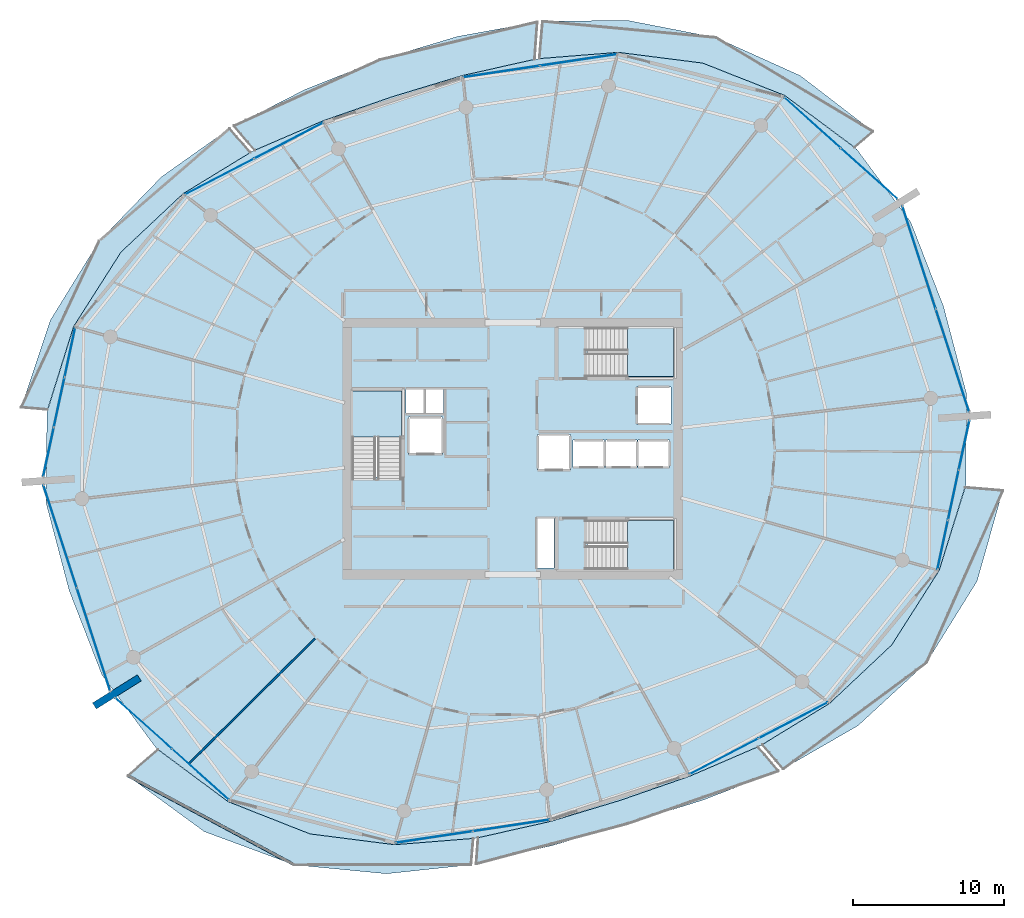
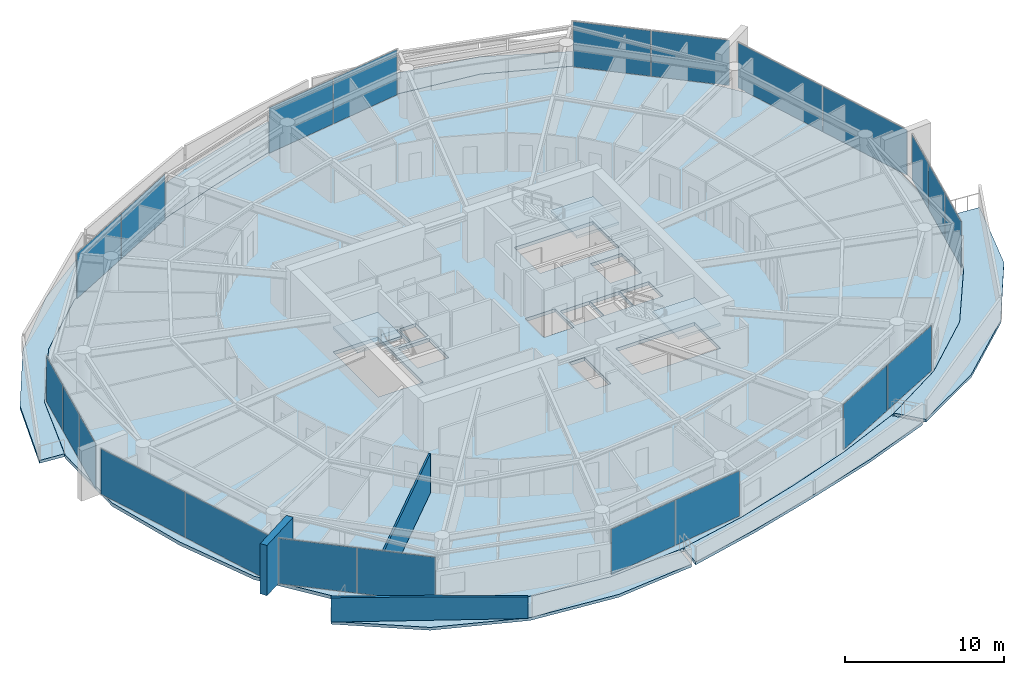
# One storey, part 17 of 31: 22 plates, 10 slabs, 3 walls, 13 elements without a shape of their own.
"""IFC4 building model written with IfcOpenShell, lengths in metres."""

from ifc_helpers import new_model, si_unit, direction, frame, frame_2d, origin, origin_2d, place, context, subcontext, project, spatial, polyline, rectangle, outline, extrude, material, layer, layer_set, type_object, element, aggregate, save


model = new_model("IFC4")

# Units and contexts
model_context = context("Model", 3, precision=1e-05, world=origin(), true_north=direction((0.0, 1.0)))
body_context = subcontext(model_context, "Body", "Model", "MODEL_VIEW")
ifc_project = project(units=[si_unit("LENGTHUNIT", "METRE"), si_unit("AREAUNIT", "SQUARE_METRE"), si_unit("VOLUMEUNIT", "CUBIC_METRE"), si_unit("PLANEANGLEUNIT", "RADIAN"), si_unit("MASSUNIT", "GRAM", prefix="KILO")], contexts=[model_context])

# Site, building, storey
site_placement = place(None, origin())
site = spatial("IfcSite", under=ifc_project, at=site_placement, CompositionType="ELEMENT")
building_placement = place(site_placement, origin())
building = spatial("IfcBuilding", under=site, at=building_placement, Name="Kazma Halo Residences", CompositionType="ELEMENT")
storey_placement = place(building_placement, frame((0.0, 0.0, 248.25)))
storey = spatial("IfcBuildingStorey", under=building, at=storey_placement, Name="L62", CompositionType="ELEMENT", Elevation=248.25)

# Curtain wall, plates
ifc_material_1 = material(Name="Aluminium AW-6063 T6 and Triple-Silver Low-E Glass", Category="aluminium")
ifc_layer_1 = layer(ifc_material_1, 0.139892578125)
ifc_layer_set_1 = layer_set([ifc_layer_1], Name="Aluminium AW-6063 T6 and Triple-Silver Low-E Glass")
curtain_wall_type = type_object("IfcCurtainWallType", Name="CW-SYS-5", PredefinedType="NOTDEFINED", material=ifc_layer_set_1)
curtain_wall_1_placement = place(storey_placement, origin())
curtain_wall_1 = element("IfcCurtainWall", 1, at=curtain_wall_1_placement, inside=storey, type_object=curtain_wall_type, Name="L62 unitised curtain wall B01", PredefinedType="NOTDEFINED")
ifc_material_2 = material(Name="Clear Triple-Silver Low-E Glass IGU", Category="glass")
ifc_layer_2 = layer(ifc_material_2, 0.02587890625)
ifc_layer_set_2 = layer_set([ifc_layer_2], Name="Clear Triple-Silver Low-E Glass IGU")
plate_type = type_object("IfcPlateType", Name="CW-SYS-5-PNL", PredefinedType="CURTAIN_PANEL", material=ifc_layer_set_2)
plate_1_placement = place(storey_placement, frame((72.002685546875, 60.179443359375, 0.06005859375), z_axis=(0.0, 0.0, 1.0), x_axis=(-0.744336424671, 0.667804826958, 0.0)))
plate_1 = element("IfcPlate", 2, at=plate_1_placement, type_object=plate_type, Name="CWS-5 panel 1.1", PredefinedType="CURTAIN_PANEL", context=body_context, shape_type="SweptSolid", body=[
    extrude(rectangle(XDim=4.993408203125, YDim=0.02587890625, at=origin_2d()), origin(), (0.0, 0.0, 1.0), 3.469970703125),
])
plate_2_placement = place(storey_placement, frame((68.2412109375, 63.55419921875, 0.06005859375), z_axis=(0.0, 0.0, 1.0), x_axis=(-0.744336424671, 0.667804826958, 0.0)))
plate_2 = element("IfcPlate", 3, at=plate_2_placement, type_object=plate_type, Name="CWS-5 panel 2.1", PredefinedType="CURTAIN_PANEL", context=body_context, shape_type="SweptSolid", body=[
    extrude(rectangle(XDim=4.993408203125, YDim=0.02587890625, at=origin_2d()), origin(), (0.0, 0.0, 1.0), 3.469970703125),
])
aggregate(curtain_wall_1, [plate_1, plate_2])

curtain_wall_2_placement = place(storey_placement, origin())
curtain_wall_2 = element("IfcCurtainWall", 4, at=curtain_wall_2_placement, inside=storey, type_object=curtain_wall_type, Name="L62 unitised curtain wall B03", PredefinedType="NOTDEFINED")
plate_3_placement = place(storey_placement, frame((52.77783203125, 67.70361328125, 0.06005859375), z_axis=(0.0, 0.0, 1.0), x_axis=(-0.988882792998, -0.148697080374, 0.0)))
plate_3 = element("IfcPlate", 5, at=plate_3_placement, type_object=plate_type, Name="CWS-5 panel 1.1", PredefinedType="CURTAIN_PANEL", context=body_context, shape_type="SweptSolid", body=[
    extrude(rectangle(XDim=5.099853515625, YDim=0.02587890625, at=origin_2d()), origin(), (0.0, 0.0, 1.0), 3.469970703125),
])
plate_4_placement = place(storey_placement, frame((47.67529296875, 66.936279296875, 0.06005859375), z_axis=(0.0, 0.0, 1.0), x_axis=(-0.988882792998, -0.148697080374, 0.0)))
plate_4 = element("IfcPlate", 6, at=plate_4_placement, type_object=plate_type, Name="CWS-5 panel 2.1", PredefinedType="CURTAIN_PANEL", context=body_context, shape_type="SweptSolid", body=[
    extrude(rectangle(XDim=5.099853515625, YDim=0.02587890625, at=origin_2d()), origin(), (0.0, 0.0, 1.0), 3.469970703125),
])
aggregate(curtain_wall_2, [plate_3, plate_4])

curtain_wall_3_placement = place(storey_placement, origin())
curtain_wall_3 = element("IfcCurtainWall", 7, at=curtain_wall_3_placement, inside=storey, type_object=curtain_wall_type, Name="L62 unitised curtain wall B05", PredefinedType="NOTDEFINED")
plate_5_placement = place(storey_placement, frame((33.60546875, 62.36474609375, 0.06005859375), z_axis=(0.0, 0.0, 1.0), x_axis=(-0.887420518694, -0.460960760804, 0.0)))
plate_5 = element("IfcPlate", 8, at=plate_5_placement, type_object=plate_type, Name="CWS-5 panel 1.1", PredefinedType="CURTAIN_PANEL", context=body_context, shape_type="SweptSolid", body=[
    extrude(rectangle(XDim=5.099609375, YDim=0.02587890625, at=origin_2d()), origin(), (0.0, 0.0, 1.0), 3.469970703125),
])
plate_6_placement = place(storey_placement, frame((29.026611328125, 59.986328125, 0.06005859375), z_axis=(0.0, 0.0, 1.0), x_axis=(-0.887420518694, -0.460960760804, 0.0)))
plate_6 = element("IfcPlate", 9, at=plate_6_placement, type_object=plate_type, Name="CWS-5 panel 2.1", PredefinedType="CURTAIN_PANEL", context=body_context, shape_type="SweptSolid", body=[
    extrude(rectangle(XDim=5.099609375, YDim=0.02587890625, at=origin_2d()), origin(), (0.0, 0.0, 1.0), 3.469970703125),
])
aggregate(curtain_wall_3, [plate_5, plate_6])

curtain_wall_4_placement = place(storey_placement, origin())
curtain_wall_4 = element("IfcCurtainWall", 10, at=curtain_wall_4_placement, inside=storey, type_object=curtain_wall_type, Name="L62 unitised curtain wall B07", PredefinedType="NOTDEFINED")
plate_7_placement = place(storey_placement, frame((19.133056640625, 48.36865234375, 0.06005859375), z_axis=(0.0, 0.0, 1.0), x_axis=(-0.209657382603, -0.97777491373, 0.0)))
plate_7 = element("IfcPlate", 11, at=plate_7_placement, type_object=plate_type, Name="CWS-5 panel 1.1", PredefinedType="CURTAIN_PANEL", context=body_context, shape_type="SweptSolid", body=[
    extrude(rectangle(XDim=3.299072265625, YDim=0.02587890625, at=origin_2d()), origin(), (0.0, 0.0, 1.0), 3.469970703125),
])
plate_8_placement = place(storey_placement, frame((18.42578125, 45.069580078125, 0.06005859375), z_axis=(0.0, 0.0, 1.0), x_axis=(-0.209657382603, -0.97777491373, 0.0)))
plate_8 = element("IfcPlate", 12, at=plate_8_placement, type_object=plate_type, Name="CWS-5 panel 2.1", PredefinedType="CURTAIN_PANEL", context=body_context, shape_type="SweptSolid", body=[
    extrude(rectangle(XDim=3.3291015625, YDim=0.02587890625, at=origin_2d()), origin(), (0.0, 0.0, 1.0), 3.469970703125),
])
plate_9_placement = place(storey_placement, frame((17.71826171875, 41.7705078125, 0.06005859375), z_axis=(0.0, 0.0, 1.0), x_axis=(-0.209657382603, -0.97777491373, 0.0)))
plate_9 = element("IfcPlate", 13, at=plate_9_placement, type_object=plate_type, Name="CWS-5 panel 3.1", PredefinedType="CURTAIN_PANEL", context=body_context, shape_type="SweptSolid", body=[
    extrude(rectangle(XDim=3.299072265625, YDim=0.02587890625, at=origin_2d()), origin(), (0.0, 0.0, 1.0), 3.469970703125),
])
aggregate(curtain_wall_4, [plate_7, plate_8, plate_9])

curtain_wall_5_placement = place(storey_placement, origin())
curtain_wall_5 = element("IfcCurtainWall", 14, at=curtain_wall_5_placement, inside=storey, type_object=curtain_wall_type, Name="L62 unitised curtain wall B08", PredefinedType="NOTDEFINED")
plate_10_placement = place(storey_placement, frame((18.48486328125, 36.1787109375, 0.06005859375), z_axis=(0.0, 0.0, 1.0), x_axis=(0.309010998786, -0.951058464359, 0.0)))
plate_10 = element("IfcPlate", 15, at=plate_10_placement, type_object=plate_type, Name="CWS-5 panel 1.1", PredefinedType="CURTAIN_PANEL", context=body_context, shape_type="SweptSolid", body=[
    extrude(rectangle(XDim=7.108642578125, YDim=0.02587890625, at=origin_2d()), origin(), (0.0, 0.0, 1.0), 3.469970703125),
])
plate_11_placement = place(storey_placement, frame((20.699951171875, 29.36083984375, 0.06005859375), z_axis=(0.0, 0.0, 1.0), x_axis=(0.309010998786, -0.951058464359, 0.0)))
plate_11 = element("IfcPlate", 16, at=plate_11_placement, type_object=plate_type, Name="CWS-5 panel 2.1", PredefinedType="CURTAIN_PANEL", context=body_context, shape_type="SweptSolid", body=[
    extrude(rectangle(XDim=7.108642578125, YDim=0.02587890625, at=origin_2d()), origin(), (0.0, 0.0, 1.0), 3.469970703125),
])
aggregate(curtain_wall_5, [plate_10, plate_11])

curtain_wall_6_placement = place(storey_placement, origin())
curtain_wall_6 = element("IfcCurtainWall", 17, at=curtain_wall_6_placement, inside=storey, type_object=curtain_wall_type, Name="L62 unitised curtain wall B09", PredefinedType="NOTDEFINED")
plate_12_placement = place(storey_placement, frame((23.997314453125, 23.820556640625, 0.06005859375), z_axis=(0.0, 0.0, 1.0), x_axis=(0.744336424671, -0.667804826958, 0.0)))
plate_12 = element("IfcPlate", 18, at=plate_12_placement, type_object=plate_type, Name="CWS-5 panel 1.1", PredefinedType="CURTAIN_PANEL", context=body_context, shape_type="SweptSolid", body=[
    extrude(rectangle(XDim=4.993408203125, YDim=0.02587890625, at=origin_2d()), origin(), (0.0, 0.0, 1.0), 3.469970703125),
])
plate_13_placement = place(storey_placement, frame((27.7587890625, 20.44580078125, 0.06005859375), z_axis=(0.0, 0.0, 1.0), x_axis=(0.744336424671, -0.667804826958, 0.0)))
plate_13 = element("IfcPlate", 19, at=plate_13_placement, type_object=plate_type, Name="CWS-5 panel 2.1", PredefinedType="CURTAIN_PANEL", context=body_context, shape_type="SweptSolid", body=[
    extrude(rectangle(XDim=4.993408203125, YDim=0.02587890625, at=origin_2d()), origin(), (0.0, 0.0, 1.0), 3.469970703125),
])
aggregate(curtain_wall_6, [plate_12, plate_13])

curtain_wall_7_placement = place(storey_placement, origin())
curtain_wall_7 = element("IfcCurtainWall", 20, at=curtain_wall_7_placement, inside=storey, type_object=curtain_wall_type, Name="L62 unitised curtain wall B11", PredefinedType="NOTDEFINED")
plate_14_placement = place(storey_placement, frame((43.22216796875, 16.29638671875, 0.06005859375), z_axis=(0.0, 0.0, 1.0), x_axis=(0.988882792998, 0.148697080374, 0.0)))
plate_14 = element("IfcPlate", 21, at=plate_14_placement, type_object=plate_type, Name="CWS-5 panel 1.1", PredefinedType="CURTAIN_PANEL", context=body_context, shape_type="SweptSolid", body=[
    extrude(rectangle(XDim=5.099853515625, YDim=0.02587890625, at=origin_2d()), origin(), (0.0, 0.0, 1.0), 3.469970703125),
])
plate_15_placement = place(storey_placement, frame((48.32470703125, 17.063720703125, 0.06005859375), z_axis=(0.0, 0.0, 1.0), x_axis=(0.988882792998, 0.148697080374, 0.0)))
plate_15 = element("IfcPlate", 22, at=plate_15_placement, type_object=plate_type, Name="CWS-5 panel 2.1", PredefinedType="CURTAIN_PANEL", context=body_context, shape_type="SweptSolid", body=[
    extrude(rectangle(XDim=5.099853515625, YDim=0.02587890625, at=origin_2d()), origin(), (0.0, 0.0, 1.0), 3.469970703125),
])
aggregate(curtain_wall_7, [plate_14, plate_15])

curtain_wall_8_placement = place(storey_placement, origin())
curtain_wall_8 = element("IfcCurtainWall", 23, at=curtain_wall_8_placement, inside=storey, type_object=curtain_wall_type, Name="L62 unitised curtain wall B13", PredefinedType="NOTDEFINED")
plate_16_placement = place(storey_placement, frame((62.39453125, 21.63525390625, 0.06005859375), z_axis=(0.0, 0.0, 1.0), x_axis=(0.887420518694, 0.460960760804, 0.0)))
plate_16 = element("IfcPlate", 24, at=plate_16_placement, type_object=plate_type, Name="CWS-5 panel 1.1", PredefinedType="CURTAIN_PANEL", context=body_context, shape_type="SweptSolid", body=[
    extrude(rectangle(XDim=5.099609375, YDim=0.02587890625, at=origin_2d()), origin(), (0.0, 0.0, 1.0), 3.469970703125),
])
plate_17_placement = place(storey_placement, frame((66.973388671875, 24.013671875, 0.06005859375), z_axis=(0.0, 0.0, 1.0), x_axis=(0.887420518694, 0.460960760804, 0.0)))
plate_17 = element("IfcPlate", 25, at=plate_17_placement, type_object=plate_type, Name="CWS-5 panel 2.1", PredefinedType="CURTAIN_PANEL", context=body_context, shape_type="SweptSolid", body=[
    extrude(rectangle(XDim=5.099609375, YDim=0.02587890625, at=origin_2d()), origin(), (0.0, 0.0, 1.0), 3.469970703125),
])
aggregate(curtain_wall_8, [plate_16, plate_17])

curtain_wall_9_placement = place(storey_placement, origin())
curtain_wall_9 = element("IfcCurtainWall", 26, at=curtain_wall_9_placement, inside=storey, type_object=curtain_wall_type, Name="L62 unitised curtain wall B15", PredefinedType="NOTDEFINED")
plate_18_placement = place(storey_placement, frame((76.866943359375, 35.63134765625, 0.06005859375), z_axis=(0.0, 0.0, 1.0), x_axis=(0.209657382603, 0.97777491373, 0.0)))
plate_18 = element("IfcPlate", 27, at=plate_18_placement, type_object=plate_type, Name="CWS-5 panel 1.1", PredefinedType="CURTAIN_PANEL", context=body_context, shape_type="SweptSolid", body=[
    extrude(rectangle(XDim=3.299072265625, YDim=0.02587890625, at=origin_2d()), origin(), (0.0, 0.0, 1.0), 3.469970703125),
])
plate_19_placement = place(storey_placement, frame((77.57421875, 38.930419921875, 0.06005859375), z_axis=(0.0, 0.0, 1.0), x_axis=(0.209657382603, 0.97777491373, 0.0)))
plate_19 = element("IfcPlate", 28, at=plate_19_placement, type_object=plate_type, Name="CWS-5 panel 2.1", PredefinedType="CURTAIN_PANEL", context=body_context, shape_type="SweptSolid", body=[
    extrude(rectangle(XDim=3.3291015625, YDim=0.02587890625, at=origin_2d()), origin(), (0.0, 0.0, 1.0), 3.469970703125),
])
plate_20_placement = place(storey_placement, frame((78.28173828125, 42.2294921875, 0.06005859375), z_axis=(0.0, 0.0, 1.0), x_axis=(0.209657382603, 0.97777491373, 0.0)))
plate_20 = element("IfcPlate", 29, at=plate_20_placement, type_object=plate_type, Name="CWS-5 panel 3.1", PredefinedType="CURTAIN_PANEL", context=body_context, shape_type="SweptSolid", body=[
    extrude(rectangle(XDim=3.299072265625, YDim=0.02587890625, at=origin_2d()), origin(), (0.0, 0.0, 1.0), 3.469970703125),
])
aggregate(curtain_wall_9, [plate_18, plate_19, plate_20])

curtain_wall_10_placement = place(storey_placement, origin())
curtain_wall_10 = element("IfcCurtainWall", 30, at=curtain_wall_10_placement, inside=storey, type_object=curtain_wall_type, Name="L62 unitised curtain wall B16", PredefinedType="NOTDEFINED")
plate_21_placement = place(storey_placement, frame((77.51513671875, 47.8212890625, 0.06005859375), z_axis=(0.0, 0.0, 1.0), x_axis=(-0.309010998786, 0.951058464359, 0.0)))
plate_21 = element("IfcPlate", 31, at=plate_21_placement, type_object=plate_type, Name="CWS-5 panel 1.1", PredefinedType="CURTAIN_PANEL", context=body_context, shape_type="SweptSolid", body=[
    extrude(rectangle(XDim=7.108642578125, YDim=0.02587890625, at=origin_2d()), origin(), (0.0, 0.0, 1.0), 3.469970703125),
])
plate_22_placement = place(storey_placement, frame((75.300048828125, 54.63916015625, 0.06005859375), z_axis=(0.0, 0.0, 1.0), x_axis=(-0.309010998786, 0.951058464359, 0.0)))
plate_22 = element("IfcPlate", 32, at=plate_22_placement, type_object=plate_type, Name="CWS-5 panel 2.1", PredefinedType="CURTAIN_PANEL", context=body_context, shape_type="SweptSolid", body=[
    extrude(rectangle(XDim=7.108642578125, YDim=0.02587890625, at=origin_2d()), origin(), (0.0, 0.0, 1.0), 3.469970703125),
])
aggregate(curtain_wall_10, [plate_21, plate_22])

# Slabs
ifc_material_3 = material(Name="White Concrete C50/60", Category="concrete")
ifc_layer_3 = layer(ifc_material_3, 0.219970703125)
ifc_layer_set_3 = layer_set([ifc_layer_3], Name="White Concrete C50/60")
slab_type_1 = type_object("IfcSlabType", Name="SLB-BAL-WAVE-210", PredefinedType="FLOOR", material=ifc_layer_set_3)
slab_1_placement = place(storey_placement, frame((0.0, 0.0, -0.219970703125)))
element("IfcSlab", 33, at=slab_1_placement, inside=storey, type_object=slab_type_1, Name="L62 NE cantilevered wave balcony slab", PredefinedType="FLOOR", context=body_context, shape_type="SweptSolid", body=[
    extrude(outline(polyline([(71.0400390625, 61.9228515625), (66.41357421875, 65.357421875), (60.990478515625, 67.49560546875), (55.3916015625, 68.208984375), (50.188720703125, 67.794189453125), (50.397705078125, 70.256591796875), (55.98876953125, 70.325927734375), (61.852783203125, 69.1875), (67.444580078125, 66.66552734375), (72.251220703125, 62.969970703125), (71.0400390625, 61.9228515625)])), origin(), (0.0, 0.0, 1.0), 0.219970703125),
])
slab_2_placement = place(storey_placement, frame((0.0, 0.0, -0.219970703125)))
element("IfcSlab", 34, at=slab_2_placement, inside=storey, type_object=slab_type_1, Name="L62 NNW cantilevered wave balcony slab", PredefinedType="FLOOR", context=body_context, shape_type="SweptSolid", body=[
    extrude(outline(polyline([(49.8681640625, 67.74609375), (45.080078125, 66.66943359375), (40.43994140625, 65.267333984375), (35.86181640625, 63.67431640625), (31.35546875, 61.731201171875), (29.99169921875, 63.34765625), (34.695556640625, 65.7568359375), (39.643310546875, 67.719482421875), (44.773681640625, 69.259521484375), (50.047607421875, 70.219482421875), (49.8681640625, 67.74609375)])), origin(), (0.0, 0.0, 1.0), 0.219970703125),
])
slab_3_placement = place(storey_placement, frame((0.0, 0.0, -0.219970703125)))
element("IfcSlab", 35, at=slab_3_placement, inside=storey, type_object=slab_type_1, Name="L62 NW cantilevered wave balcony slab", PredefinedType="FLOOR", context=body_context, shape_type="SweptSolid", body=[
    extrude(outline(polyline([(31.06787109375, 61.58154296875), (26.614501953125, 58.85888671875), (22.50439453125, 54.990478515625), (19.3740234375, 50.0732421875), (17.64990234375, 44.5751953125), (15.90966796875, 44.722900390625), (17.845703125, 50.50439453125), (21.063232421875, 55.72509765625), (25.19384765625, 59.978759765625), (29.69384765625, 63.17041015625), (31.06787109375, 61.58154296875)])), origin(), (0.0, 0.0, 1.0), 0.219970703125),
])
slab_4_placement = place(storey_placement, frame((0.0, 0.0, -0.219970703125)))
element("IfcSlab", 36, at=slab_4_placement, inside=storey, type_object=slab_type_1, Name="L62 SW cantilevered wave balcony slab", PredefinedType="FLOOR", context=body_context, shape_type="SweptSolid", body=[
    extrude(outline(polyline([(24.9599609375, 22.0771484375), (29.58642578125, 18.642578125), (35.009521484375, 16.50439453125), (40.6083984375, 15.791015625), (45.811279296875, 16.205810546875), (45.663330078125, 14.462646484375), (40.06640625, 13.869384765625), (33.966552734375, 14.4580078125), (28.02001953125, 16.655517578125), (22.96240234375, 20.349853515625), (24.9599609375, 22.0771484375)])), origin(), (0.0, 0.0, 1.0), 0.219970703125),
])
slab_5_placement = place(storey_placement, frame((0.0, 0.0, -0.219970703125)))
element("IfcSlab", 37, at=slab_5_placement, inside=storey, type_object=slab_type_1, Name="L62 SSE cantilevered wave balcony slab", PredefinedType="FLOOR", context=body_context, shape_type="SweptSolid", body=[
    extrude(outline(polyline([(46.1318359375, 16.25390625), (50.919921875, 17.33056640625), (55.56005859375, 18.732666015625), (60.13818359375, 20.32568359375), (64.64453125, 22.268798828125), (65.995849609375, 20.6669921875), (61.022216796875, 18.747314453125), (56.059814453125, 17.194091796875), (51.1064453125, 15.75341796875), (46.006591796875, 14.52734375), (46.1318359375, 16.25390625)])), origin(), (0.0, 0.0, 1.0), 0.219970703125),
])
slab_6_placement = place(storey_placement, frame((0.0, 0.0, -0.219970703125)))
element("IfcSlab", 38, at=slab_6_placement, inside=storey, type_object=slab_type_1, Name="L62 SE cantilevered wave balcony slab", PredefinedType="FLOOR", context=body_context, shape_type="SweptSolid", body=[
    extrude(outline(polyline([(64.93212890625, 22.41845703125), (69.385498046875, 25.14111328125), (73.49560546875, 29.009521484375), (76.6259765625, 33.9267578125), (78.35009765625, 39.4248046875), (80.83642578125, 39.2138671875), (79.135986328125, 33.21875), (75.79296875, 27.8388671875), (71.259765625, 23.663330078125), (66.318603515625, 20.815185546875), (64.93212890625, 22.41845703125)])), origin(), (0.0, 0.0, 1.0), 0.219970703125),
])
ifc_material_4 = material(Name="Concrete C50/60", Category="concrete")
ifc_layer_4 = layer(ifc_material_4, 0.260009765625)
ifc_layer_set_4 = layer_set([ifc_layer_4], Name="Concrete C50/60")
slab_type_2 = type_object("IfcSlabType", Name="SLB-RES-260", PredefinedType="FLOOR", material=ifc_layer_set_4)
slab_7_placement = place(storey_placement, frame((0.0, 0.0, -0.260009765625)))
element("IfcSlab", 39, at=slab_7_placement, inside=storey, type_object=slab_type_2, Name="L62 structural floor slab", PredefinedType="FLOOR", context=body_context, shape_type="SweptSolid", body=[
    extrude(outline(polyline([(76.9189453125, 51.396240234375), (74.749755859375, 56.980712890625), (71.180419921875, 61.7978515625), (66.412109375, 65.355712890625), (60.98974609375, 67.49365234375), (55.39111328125, 68.207275390625), (50.02880859375, 67.7783203125), (45.080322265625, 66.66748046875), (40.440673828125, 65.265380859375), (35.86279296875, 63.672607421875), (31.20654296875, 61.66259765625), (26.6162109375, 58.857666015625), (22.50634765625, 54.98974609375), (19.3759765625, 50.07275390625), (17.60986328125, 44.391845703125), (17.5537109375, 38.396484375), (19.0810546875, 32.603759765625), (21.250244140625, 27.019287109375), (24.819580078125, 22.2021484375), (29.587890625, 18.644287109375), (35.01025390625, 16.50634765625), (40.60888671875, 15.792724609375), (45.97119140625, 16.2216796875), (50.919677734375, 17.33251953125), (55.559326171875, 18.734619140625), (60.13720703125, 20.327392578125), (64.79345703125, 22.33740234375), (69.3837890625, 25.142333984375), (73.49365234375, 29.01025390625), (76.6240234375, 33.92724609375), (78.39013671875, 39.608154296875), (78.4462890625, 45.603515625), (76.9189453125, 51.396240234375)]), holes=[polyline([(37.800048828125, 40.110107421875), (41.050048828125, 40.110107421875), (41.050048828125, 45.800048828125), (37.800048828125, 45.800048828125), (37.800048828125, 40.110107421875)]), polyline([(53.360107421875, 46.75), (59.050048828125, 46.75), (59.050048828125, 50.0), (53.360107421875, 50.0), (53.360107421875, 46.75)]), polyline([(53.360107421875, 34.0), (59.050048828125, 34.0), (59.050048828125, 37.25), (53.360107421875, 37.25), (53.360107421875, 34.0)]), polyline([(41.52001953125, 41.6201171875), (43.780029296875, 41.6201171875), (43.780029296875, 44.080078125), (41.52001953125, 44.080078125), (41.52001953125, 41.6201171875)]), polyline([(56.6201171875, 43.6201171875), (58.8798828125, 43.6201171875), (58.8798828125, 46.080078125), (56.6201171875, 46.080078125), (56.6201171875, 43.6201171875)]), polyline([(52.39501953125, 40.7451171875), (54.5048828125, 40.7451171875), (54.5048828125, 42.554931640625), (52.39501953125, 42.554931640625), (52.39501953125, 40.7451171875)]), polyline([(54.544921875, 40.7451171875), (56.655029296875, 40.7451171875), (56.655029296875, 42.554931640625), (54.544921875, 42.554931640625), (54.544921875, 40.7451171875)]), polyline([(56.695068359375, 40.7451171875), (58.804931640625, 40.7451171875), (58.804931640625, 42.554931640625), (56.695068359375, 42.554931640625), (56.695068359375, 40.7451171875)]), polyline([(50.070068359375, 40.570068359375), (52.22998046875, 40.570068359375), (52.22998046875, 42.929931640625), (50.070068359375, 42.929931640625), (50.070068359375, 40.570068359375)]), polyline([(41.360107421875, 44.340087890625), (42.5400390625, 44.340087890625), (42.5400390625, 45.89990234375), (41.360107421875, 45.89990234375), (41.360107421875, 44.340087890625)]), polyline([(42.659912109375, 44.340087890625), (43.840087890625, 44.340087890625), (43.840087890625, 45.89990234375), (42.659912109375, 45.89990234375), (42.659912109375, 44.340087890625)]), polyline([(50.06005859375, 34.080078125), (51.159912109375, 34.080078125), (51.159912109375, 37.3798828125), (50.06005859375, 37.3798828125), (50.06005859375, 34.080078125)])]), origin(), (0.0, 0.0, 1.0), 0.260009765625),
])

# Stair, slab
stair_type = type_object("IfcStairType", Name="STR-RES2", PredefinedType="HALF_TURN_STAIR", material=ifc_material_4)
stair_1_placement = place(storey_placement, origin())
stair_1 = element("IfcStair", 40, at=stair_1_placement, inside=storey, type_object=stair_type, Name="L62 Core exit stair ST-01", PredefinedType="HALF_TURN_STAIR")
ifc_layer_5 = layer(ifc_material_4, 0.199951171875)
ifc_layer_set_5 = layer_set([ifc_layer_5], Name="Concrete C50/60")
slab_type_3 = type_object("IfcSlabType", Name="SLB-STAIR-LND-200", PredefinedType="LANDING", material=ifc_layer_set_5)
slab_8_placement = place(storey_placement, frame((0.0, 0.0, 1.72509765625)))
slab_8 = element("IfcSlab", 41, at=slab_8_placement, type_object=slab_type_3, Name="ST-01 landing 1", PredefinedType="LANDING", context=body_context, shape_type="SweptSolid", body=[
    extrude(outline(polyline([(41.050048828125, 42.75), (41.050048828125, 45.800048828125), (37.800048828125, 45.800048828125), (37.800048828125, 42.75), (41.050048828125, 42.75)])), origin(), (0.0, 0.0, 1.0), 0.199951171875),
])
aggregate(stair_1, [slab_8])

stair_2_placement = place(storey_placement, origin())
stair_2 = element("IfcStair", 42, at=stair_2_placement, inside=storey, type_object=stair_type, Name="L62 Core exit stair ST-02", PredefinedType="HALF_TURN_STAIR")
slab_9_placement = place(storey_placement, frame((0.0, 0.0, 1.72509765625)))
slab_9 = element("IfcSlab", 43, at=slab_9_placement, type_object=slab_type_3, Name="ST-02 landing 1", PredefinedType="LANDING", context=body_context, shape_type="SweptSolid", body=[
    extrude(outline(polyline([(56.0, 46.75), (59.050048828125, 46.75), (59.050048828125, 50.0), (56.0, 50.0), (56.0, 46.75)])), origin(), (0.0, 0.0, 1.0), 0.199951171875),
])
aggregate(stair_2, [slab_9])

stair_3_placement = place(storey_placement, origin())
stair_3 = element("IfcStair", 44, at=stair_3_placement, inside=storey, type_object=stair_type, Name="L62 Core exit stair ST-03", PredefinedType="HALF_TURN_STAIR")
slab_10_placement = place(storey_placement, frame((0.0, 0.0, 1.72509765625)))
slab_10 = element("IfcSlab", 45, at=slab_10_placement, type_object=slab_type_3, Name="ST-03 landing 1", PredefinedType="LANDING", context=body_context, shape_type="SweptSolid", body=[
    extrude(outline(polyline([(56.0, 34.0), (59.050048828125, 34.0), (59.050048828125, 37.25), (56.0, 37.25), (56.0, 34.0)])), origin(), (0.0, 0.0, 1.0), 0.199951171875),
])
aggregate(stair_3, [slab_10])

# Walls
ifc_material_5 = material(Name="White Concrete C50/60 Balustrade", Category="concrete")
ifc_layer_6 = layer(ifc_material_5, 0.179931640625)
ifc_layer_set_6 = layer_set([ifc_layer_6], Name="White Concrete C50/60 Balustrade")
wall_type_1 = type_object("IfcWallType", Name="WL-BAL-WAVE-180", PredefinedType="PARAPET", material=ifc_layer_set_6)
wall_1_placement = place(storey_placement, frame((22.96240234375, 20.349853515625, 0.0), z_axis=(0.0, 0.0, 1.0), x_axis=(0.881580944095, -0.472032879161, 0.0)))
element("IfcWall", 46, at=wall_1_placement, inside=storey, type_object=wall_type_1, Name="L62 white wave balustrade wall SW.1", PredefinedType="PARAPET", context=body_context, shape_type="SweptSolid", body=[
    extrude(outline(polyline([(0.0, 0.0), (12.3623046875, 0.0), (12.3623046875, 1.632080078125), (6.18115234375, 1.798095703125), (0.0, 1.860107421875), (0.0, 0.0)])), frame((0.0, 0.08984375, 0.0), z_axis=(0.0, -1.0, 0.0), x_axis=(1.0, 0.0, 0.0)), (0.0, 0.0, 1.0), 0.179931640625),
])
ifc_material_6 = material(Name="Pale Concrete C60/75", Category="concrete")
ifc_layer_7 = layer(ifc_material_6, 0.47998046875)
ifc_layer_set_7 = layer_set([ifc_layer_7], Name="Pale Concrete C60/75")
wall_type_2 = type_object("IfcWallType", Name="WL-BLADE-480", PredefinedType="SOLIDWALL", material=ifc_layer_set_7)
wall_2_placement = place(storey_placement, frame((23.718505859375, 26.827392578125, 0.0), z_axis=(0.0, 0.0, 1.0), x_axis=(-0.848033572426, -0.529942506352, 0.0)))
element("IfcWall", 47, at=wall_2_placement, inside=storey, type_object=wall_type_2, Name="L62 pale concrete structural blade fin wall BW-03", PredefinedType="SOLIDWALL", context=body_context, shape_type="SweptSolid", body=[
    extrude(rectangle(XDim=3.5, YDim=0.47998046875, at=frame_2d((1.75, 0.0))), origin(), (0.0, 0.0, 1.0), 3.85009765625),
])
ifc_material_7 = material(Name="Gypsum Plasterboard Partition")
ifc_layer_8 = layer(ifc_material_7, 0.125)
ifc_layer_set_8 = layer_set([ifc_layer_8], Name="Gypsum Plasterboard Partition")
wall_type_3 = type_object("IfcWallType", Name="WL-PART-125", PredefinedType="PARTITIONING", material=ifc_layer_set_8)
wall_3_placement = place(storey_placement, frame((35.334716796875, 29.426025390625, 0.0), z_axis=(0.0, 0.0, 1.0), x_axis=(-0.709660425086, -0.704543881576, 0.0)))
element("IfcWall", 48, at=wall_3_placement, inside=storey, type_object=wall_type_3, Name="L62 Apartment 2 suite divider 8", PredefinedType="PARTITIONING", context=body_context, shape_type="SweptSolid", body=[
    extrude(rectangle(XDim=11.738037109375, YDim=0.125, at=frame_2d((5.869140625, 0.0))), origin(), (0.0, 0.0, 1.0), 3.030029296875),
])

save(model, "model.ifc")
